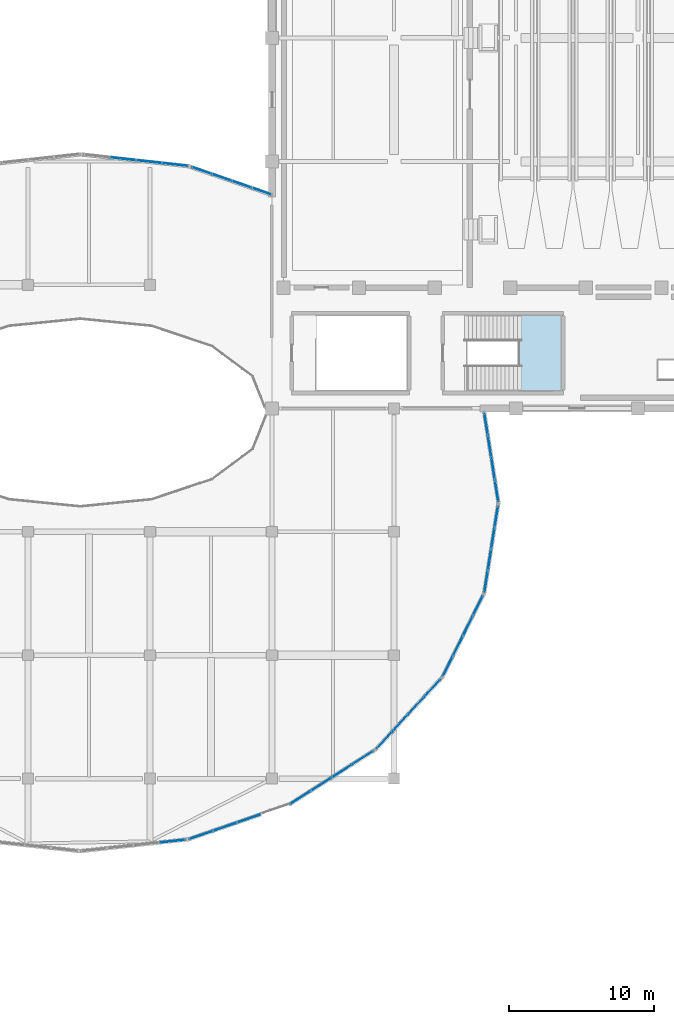
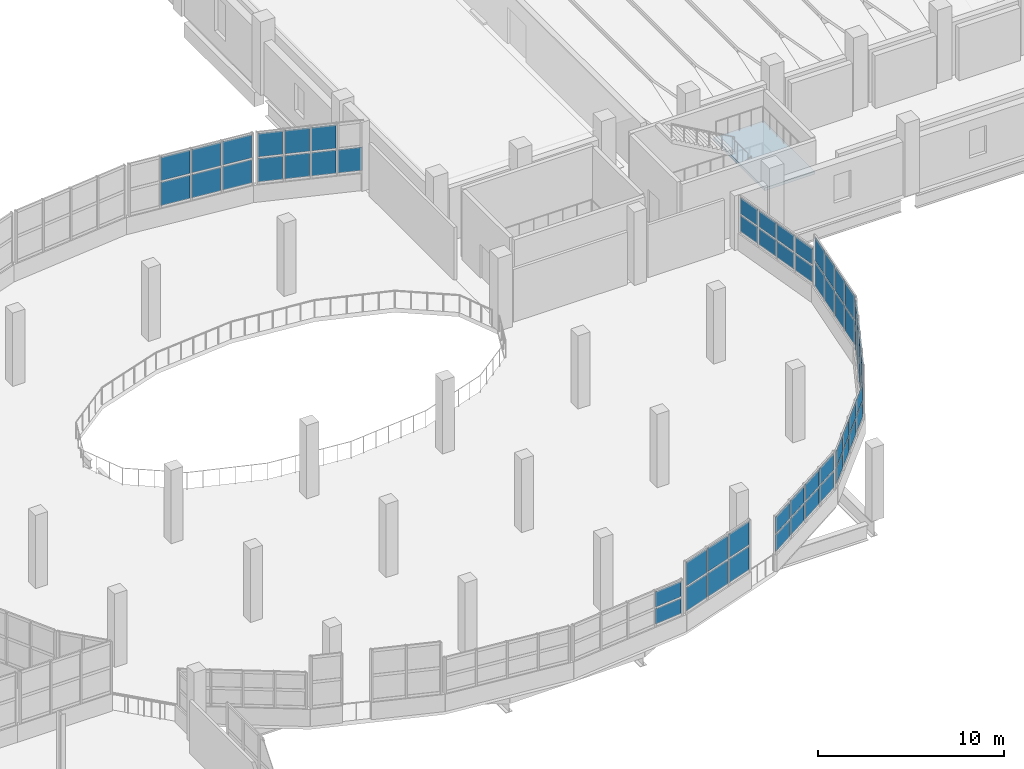
# One storey, part 86 of 117: 61 plates, 1 slab, 10 elements without a shape of their own.
"""IFC4 building model written with IfcOpenShell, lengths in metres."""

from ifc_helpers import new_model, si_unit, direction, frame, origin, origin_2d, place, context, subcontext, project, spatial, polyline, rectangle, outline, extrude, material, layer, layer_set, type_object, element, aggregate, save


model = new_model("IFC4")

# Units and contexts
model_context = context("Model", 3, precision=1e-05, world=origin(), true_north=direction((0.0, 1.0)))
body_context = subcontext(model_context, "Body", "Model", "MODEL_VIEW")
ifc_project = project(units=[si_unit("LENGTHUNIT", "METRE"), si_unit("AREAUNIT", "SQUARE_METRE"), si_unit("VOLUMEUNIT", "CUBIC_METRE"), si_unit("PLANEANGLEUNIT", "RADIAN"), si_unit("MASSUNIT", "GRAM", prefix="KILO")], contexts=[model_context])

# Site, building, storey
site_placement = place(None, origin())
site = spatial("IfcSite", under=ifc_project, at=site_placement, CompositionType="ELEMENT")
building_placement = place(site_placement, origin())
building = spatial("IfcBuilding", under=site, at=building_placement, Name="Solvento Point Concert Hall", CompositionType="ELEMENT")
storey_placement = place(building_placement, frame((0.0, 0.0, 5.39990234375)))
storey = spatial("IfcBuildingStorey", under=building, at=storey_placement, Name="L01", CompositionType="ELEMENT", Elevation=5.39990234375)

# Curtain wall, plates
ifc_material_1 = material(Name="Anodized Bronze Aluminium", Category="aluminium")
curtain_wall_type = type_object("IfcCurtainWallType", Name="CurtainWall_RingRibbon_L01_02", PredefinedType="USERDEFINED", material=ifc_material_1)
curtain_wall_1_placement = place(storey_placement, origin())
curtain_wall_1 = element("IfcCurtainWall", 1, at=curtain_wall_1_placement, inside=storey, type_object=curtain_wall_type, Name="Unitised curtain wall CW-59 UCW-L01-104", ObjectType="UNITISED CURTAIN WALL", PredefinedType="USERDEFINED")
ifc_material_2 = material(Name="Hurricane Laminated Low-E Glass", Category="glass")
plate_type = type_object("IfcPlateType", Name="CurtainPanel_RingLower", PredefinedType="CURTAIN_PANEL", material=ifc_material_2)
plate_1_placement = place(storey_placement, frame((64.12060546875, 59.6796875, 1.240234375), z_axis=(0.0, 0.0, 1.0), x_axis=(0.994035418963, -0.109057717961, 0.0)))
plate_1 = element("IfcPlate", 2, at=plate_1_placement, type_object=plate_type, Name="Glazed curtain panel GL-02", PredefinedType="CURTAIN_PANEL", context=body_context, shape_type="SweptSolid", body=[
    extrude(rectangle(XDim=1.692138671875, YDim=0.0439453125, at=origin_2d()), origin(), (0.0, 0.0, 1.0), 1.52490234375),
])
plate_2_placement = place(storey_placement, frame((64.12060546875, 59.6796875, 2.88525390625), z_axis=(0.0, 0.0, 1.0), x_axis=(0.994035418963, -0.109057717961, 0.0)))
plate_2 = element("IfcPlate", 3, at=plate_2_placement, type_object=plate_type, Name="Glazed curtain panel GL-02", PredefinedType="CURTAIN_PANEL", context=body_context, shape_type="SweptSolid", body=[
    extrude(rectangle(XDim=1.692138671875, YDim=0.0439453125, at=origin_2d()), origin(), (0.0, 0.0, 1.0), 1.52490234375),
])
plate_3_placement = place(storey_placement, frame((65.922119140625, 59.48193359375, 1.240234375), z_axis=(0.0, 0.0, 1.0), x_axis=(0.994035418963, -0.109057717961, 0.0)))
plate_3 = element("IfcPlate", 4, at=plate_3_placement, type_object=plate_type, Name="Glazed curtain panel GL-02", PredefinedType="CURTAIN_PANEL", context=body_context, shape_type="SweptSolid", body=[
    extrude(rectangle(XDim=1.692138671875, YDim=0.0439453125, at=origin_2d()), origin(), (0.0, 0.0, 1.0), 1.52490234375),
])
plate_4_placement = place(storey_placement, frame((65.922119140625, 59.48193359375, 2.88525390625), z_axis=(0.0, 0.0, 1.0), x_axis=(0.994035418963, -0.109057717961, 0.0)))
plate_4 = element("IfcPlate", 5, at=plate_4_placement, type_object=plate_type, Name="Glazed curtain panel GL-02", PredefinedType="CURTAIN_PANEL", context=body_context, shape_type="SweptSolid", body=[
    extrude(rectangle(XDim=1.692138671875, YDim=0.0439453125, at=origin_2d()), origin(), (0.0, 0.0, 1.0), 1.52490234375),
])
plate_5_placement = place(storey_placement, frame((67.723388671875, 59.2841796875, 1.240234375), z_axis=(0.0, 0.0, 1.0), x_axis=(0.994035418963, -0.109057717961, 0.0)))
plate_5 = element("IfcPlate", 6, at=plate_5_placement, type_object=plate_type, Name="Glazed curtain panel GL-02", PredefinedType="CURTAIN_PANEL", context=body_context, shape_type="SweptSolid", body=[
    extrude(rectangle(XDim=1.692138671875, YDim=0.0439453125, at=origin_2d()), origin(), (0.0, 0.0, 1.0), 1.52490234375),
])
plate_6_placement = place(storey_placement, frame((67.723388671875, 59.2841796875, 2.88525390625), z_axis=(0.0, 0.0, 1.0), x_axis=(0.994035418963, -0.109057717961, 0.0)))
plate_6 = element("IfcPlate", 7, at=plate_6_placement, type_object=plate_type, Name="Glazed curtain panel GL-02", PredefinedType="CURTAIN_PANEL", context=body_context, shape_type="SweptSolid", body=[
    extrude(rectangle(XDim=1.692138671875, YDim=0.0439453125, at=origin_2d()), origin(), (0.0, 0.0, 1.0), 1.52490234375),
])
aggregate(curtain_wall_1, [plate_1, plate_2, plate_3, plate_4, plate_5, plate_6])

curtain_wall_2_placement = place(storey_placement, origin())
curtain_wall_2 = element("IfcCurtainWall", 8, at=curtain_wall_2_placement, inside=storey, type_object=curtain_wall_type, Name="Unitised curtain wall CW-59 UCW-L01-105", ObjectType="UNITISED CURTAIN WALL", PredefinedType="USERDEFINED")
plate_7_placement = place(storey_placement, frame((69.55078125, 58.872802734375, 1.240234375), z_axis=(0.0, 0.0, 1.0), x_axis=(0.945270556365, -0.326287565301, 0.0)))
plate_7 = element("IfcPlate", 9, at=plate_7_placement, type_object=plate_type, Name="Glazed curtain panel GL-02", PredefinedType="CURTAIN_PANEL", context=body_context, shape_type="SweptSolid", body=[
    extrude(rectangle(XDim=1.337158203125, YDim=0.0439453125, at=origin_2d()), origin(), (0.0, 0.0, 1.0), 1.52490234375),
])
plate_8_placement = place(storey_placement, frame((69.55078125, 58.872802734375, 2.88525390625), z_axis=(0.0, 0.0, 1.0), x_axis=(0.945270556365, -0.326287565301, 0.0)))
plate_8 = element("IfcPlate", 10, at=plate_8_placement, type_object=plate_type, Name="Glazed curtain panel GL-02", PredefinedType="CURTAIN_PANEL", context=body_context, shape_type="SweptSolid", body=[
    extrude(rectangle(XDim=1.337158203125, YDim=0.0439453125, at=origin_2d()), origin(), (0.0, 0.0, 1.0), 1.52490234375),
])
plate_9_placement = place(storey_placement, frame((70.927978515625, 58.397216796875, 1.240234375), z_axis=(0.0, 0.0, 1.0), x_axis=(0.945270556365, -0.326287565301, 0.0)))
plate_9 = element("IfcPlate", 11, at=plate_9_placement, type_object=plate_type, Name="Glazed curtain panel GL-02", PredefinedType="CURTAIN_PANEL", context=body_context, shape_type="SweptSolid", body=[
    extrude(rectangle(XDim=1.337158203125, YDim=0.0439453125, at=origin_2d()), origin(), (0.0, 0.0, 1.0), 1.52490234375),
])
plate_10_placement = place(storey_placement, frame((70.927978515625, 58.397216796875, 2.88525390625), z_axis=(0.0, 0.0, 1.0), x_axis=(0.945270556365, -0.326287565301, 0.0)))
plate_10 = element("IfcPlate", 12, at=plate_10_placement, type_object=plate_type, Name="Glazed curtain panel GL-02", PredefinedType="CURTAIN_PANEL", context=body_context, shape_type="SweptSolid", body=[
    extrude(rectangle(XDim=1.337158203125, YDim=0.0439453125, at=origin_2d()), origin(), (0.0, 0.0, 1.0), 1.52490234375),
])
plate_11_placement = place(storey_placement, frame((72.305419921875, 57.921875, 1.240234375), z_axis=(0.0, 0.0, 1.0), x_axis=(0.945270556365, -0.326287565301, 0.0)))
plate_11 = element("IfcPlate", 13, at=plate_11_placement, type_object=plate_type, Name="Glazed curtain panel GL-02", PredefinedType="CURTAIN_PANEL", context=body_context, shape_type="SweptSolid", body=[
    extrude(rectangle(XDim=1.337158203125, YDim=0.0439453125, at=origin_2d()), origin(), (0.0, 0.0, 1.0), 1.52490234375),
])
plate_12_placement = place(storey_placement, frame((72.305419921875, 57.921875, 2.88525390625), z_axis=(0.0, 0.0, 1.0), x_axis=(0.945270556365, -0.326287565301, 0.0)))
plate_12 = element("IfcPlate", 14, at=plate_12_placement, type_object=plate_type, Name="Glazed curtain panel GL-02", PredefinedType="CURTAIN_PANEL", context=body_context, shape_type="SweptSolid", body=[
    extrude(rectangle(XDim=1.337158203125, YDim=0.0439453125, at=origin_2d()), origin(), (0.0, 0.0, 1.0), 1.52490234375),
])
plate_13_placement = place(storey_placement, frame((73.682861328125, 57.4462890625, 1.240234375), z_axis=(0.0, 0.0, 1.0), x_axis=(0.945270556365, -0.326287565301, 0.0)))
plate_13 = element("IfcPlate", 15, at=plate_13_placement, type_object=plate_type, Name="Glazed curtain panel GL-02", PredefinedType="CURTAIN_PANEL", context=body_context, shape_type="SweptSolid", body=[
    extrude(rectangle(XDim=1.337158203125, YDim=0.0439453125, at=origin_2d()), origin(), (0.0, 0.0, 1.0), 1.52490234375),
])
aggregate(curtain_wall_2, [plate_7, plate_8, plate_9, plate_10, plate_11, plate_12, plate_13])

curtain_wall_3_placement = place(storey_placement, origin())
curtain_wall_3 = element("IfcCurtainWall", 16, at=curtain_wall_3_placement, inside=storey, type_object=curtain_wall_type, Name="Unitised curtain wall CW-59 UCW-L01-106", ObjectType="UNITISED CURTAIN WALL", PredefinedType="USERDEFINED")
plate_14_placement = place(storey_placement, frame((89.14501953125, 41.4130859375, 1.240234375), z_axis=(0.0, 0.0, 1.0), x_axis=(0.156041416836, -0.987750513152, 0.0)))
plate_14 = element("IfcPlate", 17, at=plate_14_placement, type_object=plate_type, Name="Glazed curtain panel GL-02", PredefinedType="CURTAIN_PANEL", context=body_context, shape_type="SweptSolid", body=[
    extrude(rectangle(XDim=1.437255859375, YDim=0.0439453125, at=origin_2d()), origin(), (0.0, 0.0, 1.0), 1.047119140625),
])
plate_15_placement = place(storey_placement, frame((89.14501953125, 41.4130859375, 2.4072265625), z_axis=(0.0, 0.0, 1.0), x_axis=(0.156041416836, -0.987750513152, 0.0)))
plate_15 = element("IfcPlate", 18, at=plate_15_placement, type_object=plate_type, Name="Glazed curtain panel GL-02", PredefinedType="CURTAIN_PANEL", context=body_context, shape_type="SweptSolid", body=[
    extrude(rectangle(XDim=1.437255859375, YDim=0.0439453125, at=origin_2d()), origin(), (0.0, 0.0, 1.0), 1.047119140625),
])
plate_16_placement = place(storey_placement, frame((89.387939453125, 39.875, 1.240234375), z_axis=(0.0, 0.0, 1.0), x_axis=(0.156041416836, -0.987750513152, 0.0)))
plate_16 = element("IfcPlate", 19, at=plate_16_placement, type_object=plate_type, Name="Glazed curtain panel GL-02", PredefinedType="CURTAIN_PANEL", context=body_context, shape_type="SweptSolid", body=[
    extrude(rectangle(XDim=1.437255859375, YDim=0.0439453125, at=origin_2d()), origin(), (0.0, 0.0, 1.0), 1.047119140625),
])
plate_17_placement = place(storey_placement, frame((89.387939453125, 39.875, 2.4072265625), z_axis=(0.0, 0.0, 1.0), x_axis=(0.156041416836, -0.987750513152, 0.0)))
plate_17 = element("IfcPlate", 20, at=plate_17_placement, type_object=plate_type, Name="Glazed curtain panel GL-02", PredefinedType="CURTAIN_PANEL", context=body_context, shape_type="SweptSolid", body=[
    extrude(rectangle(XDim=1.437255859375, YDim=0.0439453125, at=origin_2d()), origin(), (0.0, 0.0, 1.0), 1.047119140625),
])
plate_18_placement = place(storey_placement, frame((89.630859375, 38.3369140625, 1.240234375), z_axis=(0.0, 0.0, 1.0), x_axis=(0.156041416836, -0.987750513152, 0.0)))
plate_18 = element("IfcPlate", 21, at=plate_18_placement, type_object=plate_type, Name="Glazed curtain panel GL-02", PredefinedType="CURTAIN_PANEL", context=body_context, shape_type="SweptSolid", body=[
    extrude(rectangle(XDim=1.437255859375, YDim=0.0439453125, at=origin_2d()), origin(), (0.0, 0.0, 1.0), 1.047119140625),
])
plate_19_placement = place(storey_placement, frame((89.630859375, 38.3369140625, 2.4072265625), z_axis=(0.0, 0.0, 1.0), x_axis=(0.156041416836, -0.987750513152, 0.0)))
plate_19 = element("IfcPlate", 22, at=plate_19_placement, type_object=plate_type, Name="Glazed curtain panel GL-02", PredefinedType="CURTAIN_PANEL", context=body_context, shape_type="SweptSolid", body=[
    extrude(rectangle(XDim=1.437255859375, YDim=0.0439453125, at=origin_2d()), origin(), (0.0, 0.0, 1.0), 1.047119140625),
])
plate_20_placement = place(storey_placement, frame((89.873779296875, 36.798583984375, 1.240234375), z_axis=(0.0, 0.0, 1.0), x_axis=(0.156041416836, -0.987750513152, 0.0)))
plate_20 = element("IfcPlate", 23, at=plate_20_placement, type_object=plate_type, Name="Glazed curtain panel GL-02", PredefinedType="CURTAIN_PANEL", context=body_context, shape_type="SweptSolid", body=[
    extrude(rectangle(XDim=1.437255859375, YDim=0.0439453125, at=origin_2d()), origin(), (0.0, 0.0, 1.0), 1.047119140625),
])
plate_21_placement = place(storey_placement, frame((89.873779296875, 36.798583984375, 2.4072265625), z_axis=(0.0, 0.0, 1.0), x_axis=(0.156041416836, -0.987750513152, 0.0)))
plate_21 = element("IfcPlate", 24, at=plate_21_placement, type_object=plate_type, Name="Glazed curtain panel GL-02", PredefinedType="CURTAIN_PANEL", context=body_context, shape_type="SweptSolid", body=[
    extrude(rectangle(XDim=1.437255859375, YDim=0.0439453125, at=origin_2d()), origin(), (0.0, 0.0, 1.0), 1.047119140625),
])
aggregate(curtain_wall_3, [plate_14, plate_15, plate_16, plate_17, plate_18, plate_19, plate_20, plate_21])

curtain_wall_4_placement = place(storey_placement, origin())
curtain_wall_4 = element("IfcCurtainWall", 25, at=curtain_wall_4_placement, inside=storey, type_object=curtain_wall_type, Name="Unitised curtain wall CW-59 UCW-L01-107", ObjectType="UNITISED CURTAIN WALL", PredefinedType="USERDEFINED")
plate_22_placement = place(storey_placement, frame((89.847900390625, 35.037109375, 1.240234375), z_axis=(0.0, 0.0, 1.0), x_axis=(-0.156041416836, -0.987750513152, 0.0)))
plate_22 = element("IfcPlate", 26, at=plate_22_placement, type_object=plate_type, Name="Glazed curtain panel GL-02", PredefinedType="CURTAIN_PANEL", context=body_context, shape_type="SweptSolid", body=[
    extrude(rectangle(XDim=1.3896484375, YDim=0.0439453125, at=origin_2d()), origin(), (0.0, 0.0, 1.0), 1.52490234375),
])
plate_23_placement = place(storey_placement, frame((89.847900390625, 35.037109375, 2.88525390625), z_axis=(0.0, 0.0, 1.0), x_axis=(-0.156041416836, -0.987750513152, 0.0)))
plate_23 = element("IfcPlate", 27, at=plate_23_placement, type_object=plate_type, Name="Glazed curtain panel GL-02", PredefinedType="CURTAIN_PANEL", context=body_context, shape_type="SweptSolid", body=[
    extrude(rectangle(XDim=1.3896484375, YDim=0.0439453125, at=origin_2d()), origin(), (0.0, 0.0, 1.0), 1.52490234375),
])
plate_24_placement = place(storey_placement, frame((89.6123046875, 33.5458984375, 1.240234375), z_axis=(0.0, 0.0, 1.0), x_axis=(-0.156041416836, -0.987750513152, 0.0)))
plate_24 = element("IfcPlate", 28, at=plate_24_placement, type_object=plate_type, Name="Glazed curtain panel GL-02", PredefinedType="CURTAIN_PANEL", context=body_context, shape_type="SweptSolid", body=[
    extrude(rectangle(XDim=1.3896484375, YDim=0.0439453125, at=origin_2d()), origin(), (0.0, 0.0, 1.0), 1.52490234375),
])
plate_25_placement = place(storey_placement, frame((89.6123046875, 33.5458984375, 2.88525390625), z_axis=(0.0, 0.0, 1.0), x_axis=(-0.156041416836, -0.987750513152, 0.0)))
plate_25 = element("IfcPlate", 29, at=plate_25_placement, type_object=plate_type, Name="Glazed curtain panel GL-02", PredefinedType="CURTAIN_PANEL", context=body_context, shape_type="SweptSolid", body=[
    extrude(rectangle(XDim=1.3896484375, YDim=0.0439453125, at=origin_2d()), origin(), (0.0, 0.0, 1.0), 1.52490234375),
])
plate_26_placement = place(storey_placement, frame((89.376708984375, 32.0546875, 1.240234375), z_axis=(0.0, 0.0, 1.0), x_axis=(-0.156041416836, -0.987750513152, 0.0)))
plate_26 = element("IfcPlate", 30, at=plate_26_placement, type_object=plate_type, Name="Glazed curtain panel GL-02", PredefinedType="CURTAIN_PANEL", context=body_context, shape_type="SweptSolid", body=[
    extrude(rectangle(XDim=1.3896484375, YDim=0.0439453125, at=origin_2d()), origin(), (0.0, 0.0, 1.0), 1.52490234375),
])
plate_27_placement = place(storey_placement, frame((89.376708984375, 32.0546875, 2.88525390625), z_axis=(0.0, 0.0, 1.0), x_axis=(-0.156041416836, -0.987750513152, 0.0)))
plate_27 = element("IfcPlate", 31, at=plate_27_placement, type_object=plate_type, Name="Glazed curtain panel GL-02", PredefinedType="CURTAIN_PANEL", context=body_context, shape_type="SweptSolid", body=[
    extrude(rectangle(XDim=1.3896484375, YDim=0.0439453125, at=origin_2d()), origin(), (0.0, 0.0, 1.0), 1.52490234375),
])
plate_28_placement = place(storey_placement, frame((89.14111328125, 30.5634765625, 1.240234375), z_axis=(0.0, 0.0, 1.0), x_axis=(-0.156041416836, -0.987750513152, 0.0)))
plate_28 = element("IfcPlate", 32, at=plate_28_placement, type_object=plate_type, Name="Glazed curtain panel GL-02", PredefinedType="CURTAIN_PANEL", context=body_context, shape_type="SweptSolid", body=[
    extrude(rectangle(XDim=1.3896484375, YDim=0.0439453125, at=origin_2d()), origin(), (0.0, 0.0, 1.0), 1.52490234375),
])
plate_29_placement = place(storey_placement, frame((89.14111328125, 30.5634765625, 2.88525390625), z_axis=(0.0, 0.0, 1.0), x_axis=(-0.156041416836, -0.987750513152, 0.0)))
plate_29 = element("IfcPlate", 33, at=plate_29_placement, type_object=plate_type, Name="Glazed curtain panel GL-02", PredefinedType="CURTAIN_PANEL", context=body_context, shape_type="SweptSolid", body=[
    extrude(rectangle(XDim=1.3896484375, YDim=0.0439453125, at=origin_2d()), origin(), (0.0, 0.0, 1.0), 1.52490234375),
])
aggregate(curtain_wall_4, [plate_22, plate_23, plate_24, plate_25, plate_26, plate_27, plate_28, plate_29])

curtain_wall_5_placement = place(storey_placement, origin())
curtain_wall_5 = element("IfcCurtainWall", 34, at=curtain_wall_5_placement, inside=storey, type_object=curtain_wall_type, Name="Unitised curtain wall CW-59 UCW-L01-108", ObjectType="UNITISED CURTAIN WALL", PredefinedType="USERDEFINED")
plate_30_placement = place(storey_placement, frame((88.574951171875, 28.895751953125, 1.240234375), z_axis=(0.0, 0.0, 1.0), x_axis=(-0.445115052099, -0.895473388993, 0.0)))
plate_30 = element("IfcPlate", 35, at=plate_30_placement, type_object=plate_type, Name="Glazed curtain panel GL-02", PredefinedType="CURTAIN_PANEL", context=body_context, shape_type="SweptSolid", body=[
    extrude(rectangle(XDim=1.43359375, YDim=0.0439453125, at=origin_2d()), origin(), (0.0, 0.0, 1.0), 1.52490234375),
])
plate_31_placement = place(storey_placement, frame((88.574951171875, 28.895751953125, 2.88525390625), z_axis=(0.0, 0.0, 1.0), x_axis=(-0.445115052099, -0.895473388993, 0.0)))
plate_31 = element("IfcPlate", 36, at=plate_31_placement, type_object=plate_type, Name="Glazed curtain panel GL-02", PredefinedType="CURTAIN_PANEL", context=body_context, shape_type="SweptSolid", body=[
    extrude(rectangle(XDim=1.43359375, YDim=0.0439453125, at=origin_2d()), origin(), (0.0, 0.0, 1.0), 1.52490234375),
])
plate_32_placement = place(storey_placement, frame((87.883544921875, 27.504638671875, 1.240234375), z_axis=(0.0, 0.0, 1.0), x_axis=(-0.445115052099, -0.895473388993, 0.0)))
plate_32 = element("IfcPlate", 37, at=plate_32_placement, type_object=plate_type, Name="Glazed curtain panel GL-02", PredefinedType="CURTAIN_PANEL", context=body_context, shape_type="SweptSolid", body=[
    extrude(rectangle(XDim=1.43359375, YDim=0.0439453125, at=origin_2d()), origin(), (0.0, 0.0, 1.0), 1.52490234375),
])
plate_33_placement = place(storey_placement, frame((87.883544921875, 27.504638671875, 2.88525390625), z_axis=(0.0, 0.0, 1.0), x_axis=(-0.445115052099, -0.895473388993, 0.0)))
plate_33 = element("IfcPlate", 38, at=plate_33_placement, type_object=plate_type, Name="Glazed curtain panel GL-02", PredefinedType="CURTAIN_PANEL", context=body_context, shape_type="SweptSolid", body=[
    extrude(rectangle(XDim=1.43359375, YDim=0.0439453125, at=origin_2d()), origin(), (0.0, 0.0, 1.0), 1.52490234375),
])
plate_34_placement = place(storey_placement, frame((87.192138671875, 26.113525390625, 1.240234375), z_axis=(0.0, 0.0, 1.0), x_axis=(-0.445115052099, -0.895473388993, 0.0)))
plate_34 = element("IfcPlate", 39, at=plate_34_placement, type_object=plate_type, Name="Glazed curtain panel GL-02", PredefinedType="CURTAIN_PANEL", context=body_context, shape_type="SweptSolid", body=[
    extrude(rectangle(XDim=1.43359375, YDim=0.0439453125, at=origin_2d()), origin(), (0.0, 0.0, 1.0), 1.52490234375),
])
plate_35_placement = place(storey_placement, frame((87.192138671875, 26.113525390625, 2.88525390625), z_axis=(0.0, 0.0, 1.0), x_axis=(-0.445115052099, -0.895473388993, 0.0)))
plate_35 = element("IfcPlate", 40, at=plate_35_placement, type_object=plate_type, Name="Glazed curtain panel GL-02", PredefinedType="CURTAIN_PANEL", context=body_context, shape_type="SweptSolid", body=[
    extrude(rectangle(XDim=1.43359375, YDim=0.0439453125, at=origin_2d()), origin(), (0.0, 0.0, 1.0), 1.52490234375),
])
plate_36_placement = place(storey_placement, frame((86.50048828125, 24.722412109375, 1.240234375), z_axis=(0.0, 0.0, 1.0), x_axis=(-0.445115052099, -0.895473388993, 0.0)))
plate_36 = element("IfcPlate", 41, at=plate_36_placement, type_object=plate_type, Name="Glazed curtain panel GL-02", PredefinedType="CURTAIN_PANEL", context=body_context, shape_type="SweptSolid", body=[
    extrude(rectangle(XDim=1.43359375, YDim=0.0439453125, at=origin_2d()), origin(), (0.0, 0.0, 1.0), 1.52490234375),
])
plate_37_placement = place(storey_placement, frame((86.50048828125, 24.722412109375, 2.88525390625), z_axis=(0.0, 0.0, 1.0), x_axis=(-0.445115052099, -0.895473388993, 0.0)))
plate_37 = element("IfcPlate", 42, at=plate_37_placement, type_object=plate_type, Name="Glazed curtain panel GL-02", PredefinedType="CURTAIN_PANEL", context=body_context, shape_type="SweptSolid", body=[
    extrude(rectangle(XDim=1.43359375, YDim=0.0439453125, at=origin_2d()), origin(), (0.0, 0.0, 1.0), 1.52490234375),
])
aggregate(curtain_wall_5, [plate_30, plate_31, plate_32, plate_33, plate_34, plate_35, plate_36, plate_37])

curtain_wall_6_placement = place(storey_placement, origin())
curtain_wall_6 = element("IfcCurtainWall", 43, at=curtain_wall_6_placement, inside=storey, type_object=curtain_wall_type, Name="Unitised curtain wall CW-59 UCW-L01-109", ObjectType="UNITISED CURTAIN WALL", PredefinedType="USERDEFINED")
plate_38_placement = place(storey_placement, frame((85.44140625, 23.23974609375, 1.239990234375), z_axis=(0.0, 0.0, 1.0), x_axis=(-0.677365302802, -0.735646821892, 0.0)))
plate_38 = element("IfcPlate", 44, at=plate_38_placement, type_object=plate_type, Name="Glazed curtain panel GL-02", PredefinedType="CURTAIN_PANEL", context=body_context, shape_type="SweptSolid", body=[
    extrude(rectangle(XDim=1.506591796875, YDim=0.0439453125, at=origin_2d()), origin(), (0.0, 0.0, 1.0), 0.99609375),
])
plate_39_placement = place(storey_placement, frame((85.44140625, 23.23974609375, 2.35595703125), z_axis=(0.0, 0.0, 1.0), x_axis=(-0.677365302802, -0.735646821892, 0.0)))
plate_39 = element("IfcPlate", 45, at=plate_39_placement, type_object=plate_type, Name="Glazed curtain panel GL-02", PredefinedType="CURTAIN_PANEL", context=body_context, shape_type="SweptSolid", body=[
    extrude(rectangle(XDim=1.506591796875, YDim=0.0439453125, at=origin_2d()), origin(), (0.0, 0.0, 1.0), 0.99609375),
])
plate_40_placement = place(storey_placement, frame((84.339599609375, 22.043212890625, 1.239990234375), z_axis=(0.0, 0.0, 1.0), x_axis=(-0.677365302802, -0.735646821892, 0.0)))
plate_40 = element("IfcPlate", 46, at=plate_40_placement, type_object=plate_type, Name="Glazed curtain panel GL-02", PredefinedType="CURTAIN_PANEL", context=body_context, shape_type="SweptSolid", body=[
    extrude(rectangle(XDim=1.506591796875, YDim=0.0439453125, at=origin_2d()), origin(), (0.0, 0.0, 1.0), 0.99609375),
])
plate_41_placement = place(storey_placement, frame((84.339599609375, 22.043212890625, 2.35595703125), z_axis=(0.0, 0.0, 1.0), x_axis=(-0.677365302802, -0.735646821892, 0.0)))
plate_41 = element("IfcPlate", 47, at=plate_41_placement, type_object=plate_type, Name="Glazed curtain panel GL-02", PredefinedType="CURTAIN_PANEL", context=body_context, shape_type="SweptSolid", body=[
    extrude(rectangle(XDim=1.506591796875, YDim=0.0439453125, at=origin_2d()), origin(), (0.0, 0.0, 1.0), 0.99609375),
])
plate_42_placement = place(storey_placement, frame((83.23779296875, 20.846435546875, 1.239990234375), z_axis=(0.0, 0.0, 1.0), x_axis=(-0.677365302802, -0.735646821892, 0.0)))
plate_42 = element("IfcPlate", 48, at=plate_42_placement, type_object=plate_type, Name="Glazed curtain panel GL-02", PredefinedType="CURTAIN_PANEL", context=body_context, shape_type="SweptSolid", body=[
    extrude(rectangle(XDim=1.506591796875, YDim=0.0439453125, at=origin_2d()), origin(), (0.0, 0.0, 1.0), 0.99609375),
])
plate_43_placement = place(storey_placement, frame((83.23779296875, 20.846435546875, 2.35595703125), z_axis=(0.0, 0.0, 1.0), x_axis=(-0.677365302802, -0.735646821892, 0.0)))
plate_43 = element("IfcPlate", 49, at=plate_43_placement, type_object=plate_type, Name="Glazed curtain panel GL-02", PredefinedType="CURTAIN_PANEL", context=body_context, shape_type="SweptSolid", body=[
    extrude(rectangle(XDim=1.506591796875, YDim=0.0439453125, at=origin_2d()), origin(), (0.0, 0.0, 1.0), 0.99609375),
])
plate_44_placement = place(storey_placement, frame((82.135986328125, 19.64990234375, 1.239990234375), z_axis=(0.0, 0.0, 1.0), x_axis=(-0.677365302802, -0.735646821892, 0.0)))
plate_44 = element("IfcPlate", 50, at=plate_44_placement, type_object=plate_type, Name="Glazed curtain panel GL-02", PredefinedType="CURTAIN_PANEL", context=body_context, shape_type="SweptSolid", body=[
    extrude(rectangle(XDim=1.506591796875, YDim=0.0439453125, at=origin_2d()), origin(), (0.0, 0.0, 1.0), 0.99609375),
])
plate_45_placement = place(storey_placement, frame((82.135986328125, 19.64990234375, 2.35595703125), z_axis=(0.0, 0.0, 1.0), x_axis=(-0.677365302802, -0.735646821892, 0.0)))
plate_45 = element("IfcPlate", 51, at=plate_45_placement, type_object=plate_type, Name="Glazed curtain panel GL-02", PredefinedType="CURTAIN_PANEL", context=body_context, shape_type="SweptSolid", body=[
    extrude(rectangle(XDim=1.506591796875, YDim=0.0439453125, at=origin_2d()), origin(), (0.0, 0.0, 1.0), 0.99609375),
])
aggregate(curtain_wall_6, [plate_38, plate_39, plate_40, plate_41, plate_42, plate_43, plate_44, plate_45])

curtain_wall_7_placement = place(storey_placement, origin())
curtain_wall_7 = element("IfcCurtainWall", 52, at=curtain_wall_7_placement, inside=storey, type_object=curtain_wall_type, Name="Unitised curtain wall CW-59 UCW-L01-110", ObjectType="UNITISED CURTAIN WALL", PredefinedType="USERDEFINED")
plate_46_placement = place(storey_placement, frame((80.66015625, 18.450927734375, 1.240234375), z_axis=(0.0, 0.0, 1.0), x_axis=(-0.842490008251, -0.538711969421, 0.0)))
plate_46 = element("IfcPlate", 53, at=plate_46_placement, type_object=plate_type, Name="Glazed curtain panel GL-02", PredefinedType="CURTAIN_PANEL", context=body_context, shape_type="SweptSolid", body=[
    extrude(rectangle(XDim=1.58740234375, YDim=0.0439453125, at=origin_2d()), origin(), (0.0, 0.0, 1.0), 1.056884765625),
])
plate_47_placement = place(storey_placement, frame((80.66015625, 18.450927734375, 2.4169921875), z_axis=(0.0, 0.0, 1.0), x_axis=(-0.842490008251, -0.538711969421, 0.0)))
plate_47 = element("IfcPlate", 54, at=plate_47_placement, type_object=plate_type, Name="Glazed curtain panel GL-02", PredefinedType="CURTAIN_PANEL", context=body_context, shape_type="SweptSolid", body=[
    extrude(rectangle(XDim=1.58740234375, YDim=0.0439453125, at=origin_2d()), origin(), (0.0, 0.0, 1.0), 1.056884765625),
])
plate_48_placement = place(storey_placement, frame((79.2216796875, 17.531005859375, 1.240234375), z_axis=(0.0, 0.0, 1.0), x_axis=(-0.842490008251, -0.538711969421, 0.0)))
plate_48 = element("IfcPlate", 55, at=plate_48_placement, type_object=plate_type, Name="Glazed curtain panel GL-02", PredefinedType="CURTAIN_PANEL", context=body_context, shape_type="SweptSolid", body=[
    extrude(rectangle(XDim=1.58740234375, YDim=0.0439453125, at=origin_2d()), origin(), (0.0, 0.0, 1.0), 1.056884765625),
])
plate_49_placement = place(storey_placement, frame((79.2216796875, 17.531005859375, 2.4169921875), z_axis=(0.0, 0.0, 1.0), x_axis=(-0.842490008251, -0.538711969421, 0.0)))
plate_49 = element("IfcPlate", 56, at=plate_49_placement, type_object=plate_type, Name="Glazed curtain panel GL-02", PredefinedType="CURTAIN_PANEL", context=body_context, shape_type="SweptSolid", body=[
    extrude(rectangle(XDim=1.58740234375, YDim=0.0439453125, at=origin_2d()), origin(), (0.0, 0.0, 1.0), 1.056884765625),
])
plate_50_placement = place(storey_placement, frame((77.783203125, 16.611328125, 1.240234375), z_axis=(0.0, 0.0, 1.0), x_axis=(-0.842490008251, -0.538711969421, 0.0)))
plate_50 = element("IfcPlate", 57, at=plate_50_placement, type_object=plate_type, Name="Glazed curtain panel GL-02", PredefinedType="CURTAIN_PANEL", context=body_context, shape_type="SweptSolid", body=[
    extrude(rectangle(XDim=1.58740234375, YDim=0.0439453125, at=origin_2d()), origin(), (0.0, 0.0, 1.0), 1.056884765625),
])
plate_51_placement = place(storey_placement, frame((77.783203125, 16.611328125, 2.4169921875), z_axis=(0.0, 0.0, 1.0), x_axis=(-0.842490008251, -0.538711969421, 0.0)))
plate_51 = element("IfcPlate", 58, at=plate_51_placement, type_object=plate_type, Name="Glazed curtain panel GL-02", PredefinedType="CURTAIN_PANEL", context=body_context, shape_type="SweptSolid", body=[
    extrude(rectangle(XDim=1.58740234375, YDim=0.0439453125, at=origin_2d()), origin(), (0.0, 0.0, 1.0), 1.056884765625),
])
plate_52_placement = place(storey_placement, frame((76.344482421875, 15.69140625, 1.240234375), z_axis=(0.0, 0.0, 1.0), x_axis=(-0.842490008251, -0.538711969421, 0.0)))
plate_52 = element("IfcPlate", 59, at=plate_52_placement, type_object=plate_type, Name="Glazed curtain panel GL-02", PredefinedType="CURTAIN_PANEL", context=body_context, shape_type="SweptSolid", body=[
    extrude(rectangle(XDim=1.58740234375, YDim=0.0439453125, at=origin_2d()), origin(), (0.0, 0.0, 1.0), 1.056884765625),
])
plate_53_placement = place(storey_placement, frame((76.344482421875, 15.69140625, 2.4169921875), z_axis=(0.0, 0.0, 1.0), x_axis=(-0.842490008251, -0.538711969421, 0.0)))
plate_53 = element("IfcPlate", 60, at=plate_53_placement, type_object=plate_type, Name="Glazed curtain panel GL-02", PredefinedType="CURTAIN_PANEL", context=body_context, shape_type="SweptSolid", body=[
    extrude(rectangle(XDim=1.58740234375, YDim=0.0439453125, at=origin_2d()), origin(), (0.0, 0.0, 1.0), 1.056884765625),
])
aggregate(curtain_wall_7, [plate_46, plate_47, plate_48, plate_49, plate_50, plate_51, plate_52, plate_53])

curtain_wall_8_placement = place(storey_placement, origin())
curtain_wall_8 = element("IfcCurtainWall", 61, at=curtain_wall_8_placement, inside=storey, type_object=curtain_wall_type, Name="Unitised curtain wall CW-59 UCW-L01-111", ObjectType="UNITISED CURTAIN WALL", PredefinedType="USERDEFINED")
plate_54_placement = place(storey_placement, frame((72.802490234375, 14.249755859375, 1.240234375), z_axis=(0.0, 0.0, 1.0), x_axis=(-0.945272834259, -0.326280966059, 0.0)))
plate_54 = element("IfcPlate", 62, at=plate_54_placement, type_object=plate_type, Name="Glazed curtain panel GL-02", PredefinedType="CURTAIN_PANEL", context=body_context, shape_type="SweptSolid", body=[
    extrude(rectangle(XDim=1.62353515625, YDim=0.0439453125, at=origin_2d()), origin(), (0.0, 0.0, 1.0), 1.52490234375),
])
plate_55_placement = place(storey_placement, frame((72.802490234375, 14.249755859375, 2.88525390625), z_axis=(0.0, 0.0, 1.0), x_axis=(-0.945272834259, -0.326280966059, 0.0)))
plate_55 = element("IfcPlate", 63, at=plate_55_placement, type_object=plate_type, Name="Glazed curtain panel GL-02", PredefinedType="CURTAIN_PANEL", context=body_context, shape_type="SweptSolid", body=[
    extrude(rectangle(XDim=1.62353515625, YDim=0.0439453125, at=origin_2d()), origin(), (0.0, 0.0, 1.0), 1.52490234375),
])
plate_56_placement = place(storey_placement, frame((71.154541015625, 13.680908203125, 1.240234375), z_axis=(0.0, 0.0, 1.0), x_axis=(-0.945272834259, -0.326280966059, 0.0)))
plate_56 = element("IfcPlate", 64, at=plate_56_placement, type_object=plate_type, Name="Glazed curtain panel GL-02", PredefinedType="CURTAIN_PANEL", context=body_context, shape_type="SweptSolid", body=[
    extrude(rectangle(XDim=1.62353515625, YDim=0.0439453125, at=origin_2d()), origin(), (0.0, 0.0, 1.0), 1.52490234375),
])
plate_57_placement = place(storey_placement, frame((71.154541015625, 13.680908203125, 2.88525390625), z_axis=(0.0, 0.0, 1.0), x_axis=(-0.945272834259, -0.326280966059, 0.0)))
plate_57 = element("IfcPlate", 65, at=plate_57_placement, type_object=plate_type, Name="Glazed curtain panel GL-02", PredefinedType="CURTAIN_PANEL", context=body_context, shape_type="SweptSolid", body=[
    extrude(rectangle(XDim=1.62353515625, YDim=0.0439453125, at=origin_2d()), origin(), (0.0, 0.0, 1.0), 1.52490234375),
])
plate_58_placement = place(storey_placement, frame((69.50634765625, 13.112060546875, 1.240234375), z_axis=(0.0, 0.0, 1.0), x_axis=(-0.945272834259, -0.326280966059, 0.0)))
plate_58 = element("IfcPlate", 66, at=plate_58_placement, type_object=plate_type, Name="Glazed curtain panel GL-02", PredefinedType="CURTAIN_PANEL", context=body_context, shape_type="SweptSolid", body=[
    extrude(rectangle(XDim=1.62353515625, YDim=0.0439453125, at=origin_2d()), origin(), (0.0, 0.0, 1.0), 1.52490234375),
])
plate_59_placement = place(storey_placement, frame((69.50634765625, 13.112060546875, 2.88525390625), z_axis=(0.0, 0.0, 1.0), x_axis=(-0.945272834259, -0.326280966059, 0.0)))
plate_59 = element("IfcPlate", 67, at=plate_59_placement, type_object=plate_type, Name="Glazed curtain panel GL-02", PredefinedType="CURTAIN_PANEL", context=body_context, shape_type="SweptSolid", body=[
    extrude(rectangle(XDim=1.62353515625, YDim=0.0439453125, at=origin_2d()), origin(), (0.0, 0.0, 1.0), 1.52490234375),
])
aggregate(curtain_wall_8, [plate_54, plate_55, plate_56, plate_57, plate_58, plate_59])

curtain_wall_9_placement = place(storey_placement, origin())
curtain_wall_9 = element("IfcCurtainWall", 68, at=curtain_wall_9_placement, inside=storey, type_object=curtain_wall_type, Name="Unitised curtain wall CW-59 UCW-L01-112", ObjectType="UNITISED CURTAIN WALL", PredefinedType="USERDEFINED")
plate_60_placement = place(storey_placement, frame((67.53466796875, 12.695068359375, 1.239990234375), z_axis=(0.0, 0.0, 1.0), x_axis=(-0.994035418963, -0.109057717961, 0.0)))
plate_60 = element("IfcPlate", 69, at=plate_60_placement, type_object=plate_type, Name="Glazed curtain panel GL-02", PredefinedType="CURTAIN_PANEL", context=body_context, shape_type="SweptSolid", body=[
    extrude(rectangle(XDim=1.692138671875, YDim=0.0439453125, at=origin_2d()), origin(), (0.0, 0.0, 1.0), 0.99609375),
])
plate_61_placement = place(storey_placement, frame((67.53466796875, 12.695068359375, 2.35595703125), z_axis=(0.0, 0.0, 1.0), x_axis=(-0.994035418963, -0.109057717961, 0.0)))
plate_61 = element("IfcPlate", 70, at=plate_61_placement, type_object=plate_type, Name="Glazed curtain panel GL-02", PredefinedType="CURTAIN_PANEL", context=body_context, shape_type="SweptSolid", body=[
    extrude(rectangle(XDim=1.692138671875, YDim=0.0439453125, at=origin_2d()), origin(), (0.0, 0.0, 1.0), 0.99609375),
])
aggregate(curtain_wall_9, [plate_60, plate_61])

# Stair, slab
ifc_material_3 = material(Name="Concrete C35/45", Category="concrete")
stair_type = type_object("IfcStairType", Name="CoreStair_1760", PredefinedType="HALF_TURN_STAIR", material=ifc_material_3)
stair_placement = place(storey_placement, origin())
stair = element("IfcStair", 71, at=stair_placement, inside=storey, type_object=stair_type, Name="Protected exit stair ST-06 (L01 to L02)", PredefinedType="HALF_TURN_STAIR")
ifc_material_4 = material(Name="Concrete C35/45", Category="concrete")
ifc_layer = layer(ifc_material_4, 0.179931640625)
ifc_layer_set = layer_set([ifc_layer], Name="Concrete C35/45")
slab_type = type_object("IfcSlabType", Name="StairLanding_180", PredefinedType="LANDING", material=ifc_layer_set)
slab_placement = place(storey_placement, frame((0.0, 0.0, 2.22021484375)))
slab = element("IfcSlab", 72, at=slab_placement, type_object=slab_type, Name="Stair half-landing ST-06 L01", PredefinedType="LANDING", context=body_context, shape_type="SweptSolid", body=[
    extrude(outline(polyline([(91.320068359375, 43.56005859375), (94.43994140625, 43.56005859375), (94.43994140625, 49.0400390625), (91.320068359375, 49.0400390625), (91.320068359375, 43.56005859375)])), origin(), (0.0, 0.0, 1.0), 0.179931640625),
])
aggregate(stair, [slab])

save(model, "model.ifc")
